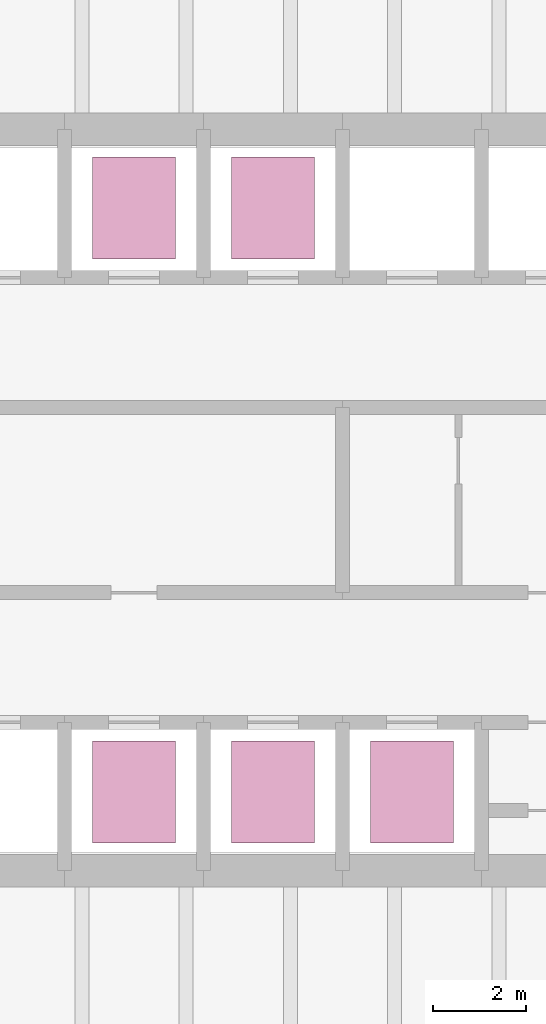
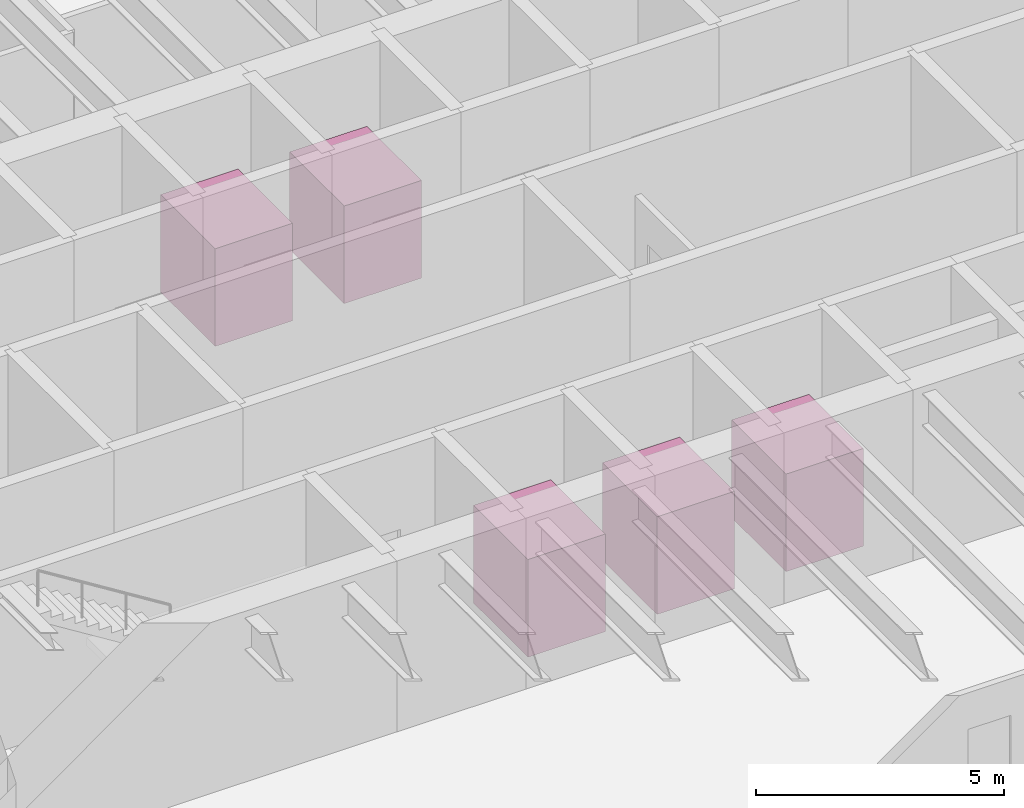
# One storey, part 12 of 12: 5 transport elements.
"""IFC4 building model written with IfcOpenShell, lengths in metres."""

from ifc_helpers import new_model, si_unit, direction, frame, origin, origin_2d, place, context, subcontext, project, spatial, rectangle, extrude, material, type_object, element, save


model = new_model("IFC4")

# Units and contexts
model_context = context("Model", 3, precision=1e-05, world=origin(), true_north=direction((0.0, 1.0)))
body_context = subcontext(model_context, "Body", "Model", "MODEL_VIEW")
ifc_project = project(units=[si_unit("LENGTHUNIT", "METRE"), si_unit("AREAUNIT", "SQUARE_METRE"), si_unit("VOLUMEUNIT", "CUBIC_METRE"), si_unit("PLANEANGLEUNIT", "RADIAN"), si_unit("MASSUNIT", "GRAM", prefix="KILO")], contexts=[model_context])

# Site, building, storey
site_placement = place(None, origin())
site = spatial("IfcSite", under=ifc_project, at=site_placement, CompositionType="ELEMENT")
building_placement = place(site_placement, origin())
building = spatial("IfcBuilding", under=site, at=building_placement, Name="Rheinbord Bourse Tower", CompositionType="ELEMENT")
storey_placement = place(building_placement, frame((0.0, 0.0, 271.10009765625)))
storey = spatial("IfcBuildingStorey", under=building, at=storey_placement, Name="L61", CompositionType="ELEMENT", Elevation=271.10009765625)

# Transport elements
ifc_material = material(Name="Lift car steel and glass", Category="steel")
transport_element_type = type_object("IfcTransportElementType", Name="LIFT CAR", PredefinedType="ELEVATOR", material=ifc_material)
for number, where, z_axis, x_axis, name in (
    (1, (31.5, 17.699951171875, 0.0), (0.0, 0.0, 1.0), (1.0, 0.0, 0.0), "Lift PD1"),
    (2, (34.5, 17.699951171875, 0.0), (0.0, 0.0, 1.0), (1.0, 0.0, 0.0), "Lift PD2"),
    (3, (37.5, 17.699951171875, 0.0), (0.0, 0.0, 1.0), (1.0, 0.0, 0.0), "Lift PD3"),
    (4, (31.5, 30.300048828125, 0.0), (0.0, 0.0, 1.0), (1.0, 0.0, 0.0), "Lift PD4"),
    (5, (34.5, 30.300048828125, 0.0), (0.0, 0.0, 1.0), (1.0, 0.0, 0.0), "Lift PD5"),
):
    element("IfcTransportElement", number, at=place(storey_placement, frame(where, z_axis=z_axis, x_axis=x_axis)), inside=storey, type_object=transport_element_type, Name=name, PredefinedType="ELEVATOR", context=body_context, shape_type="SweptSolid", body=[
        extrude(rectangle(XDim=1.800048828125, YDim=2.199951171875, at=origin_2d()), origin(), (0.0, 0.0, 1.0), 2.39990234375),
    ])

save(model, "model.ifc")
